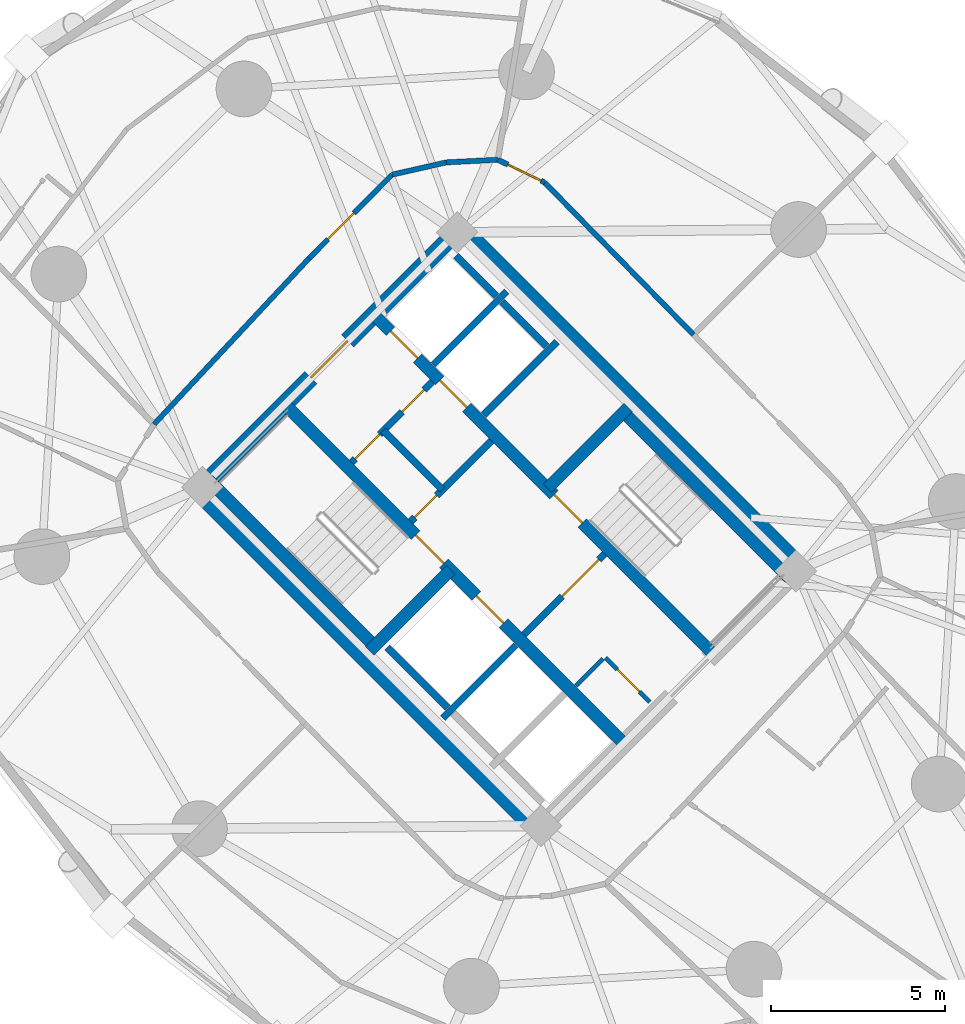
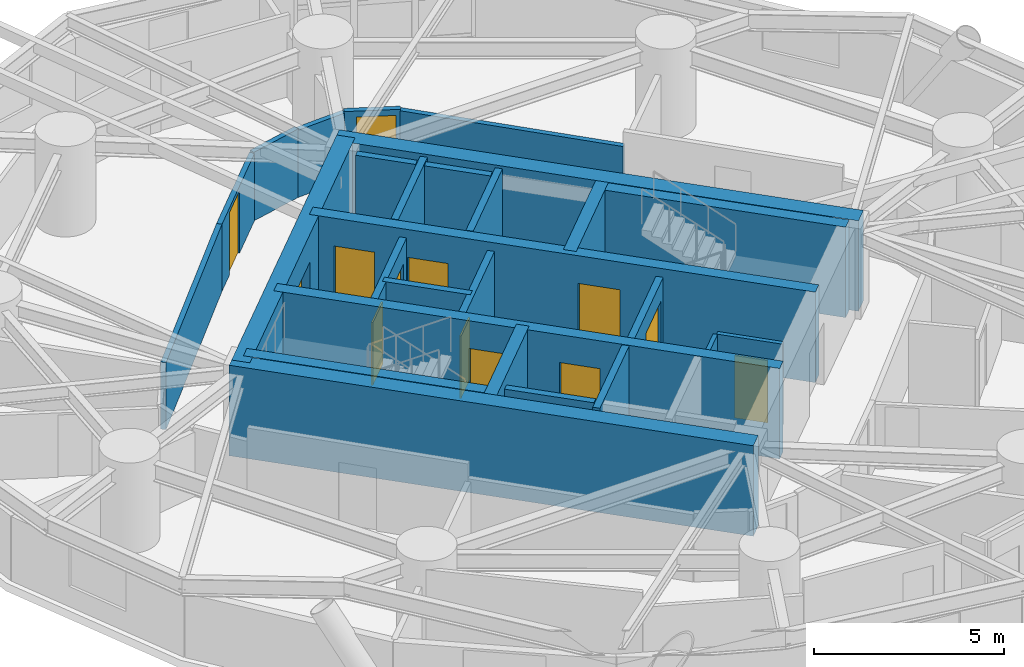
# One storey, part 14 of 20: 27 walls, 13 doors, 13 openings.
"""IFC4 building model written with IfcOpenShell, lengths in metres."""

from ifc_helpers import new_model, si_unit, direction, frame, frame_2d, origin, place, context, subcontext, project, spatial, rectangle, extrude, source, transform, mapped, material, layer, layer_set, type_object, element, fill, save


model = new_model("IFC4")

# Units and contexts
model_context = context("Model", 3, precision=1e-05, world=origin(), true_north=direction((0.0, 1.0)))
body_context = subcontext(model_context, "Body", "Model", "MODEL_VIEW")
ifc_project = project(units=[si_unit("LENGTHUNIT", "METRE"), si_unit("AREAUNIT", "SQUARE_METRE"), si_unit("VOLUMEUNIT", "CUBIC_METRE"), si_unit("PLANEANGLEUNIT", "RADIAN"), si_unit("MASSUNIT", "GRAM", prefix="KILO")], contexts=[model_context])

# Site, building, storey
site_placement = place(None, origin())
site = spatial("IfcSite", under=ifc_project, at=site_placement, CompositionType="ELEMENT")
building_placement = place(site_placement, origin())
building = spatial("IfcBuilding", under=site, at=building_placement, Name="Cununo Teusaquillo Station Towers", CompositionType="ELEMENT")
storey_placement = place(building_placement, frame((0.0, 0.0, 39.4599609375)))
storey = spatial("IfcBuildingStorey", under=building, at=storey_placement, Name="L11", CompositionType="ELEMENT", Elevation=39.4599609375)

# Walls
ifc_material_1 = material(Name="Concrete C50/60", Category="concrete")
ifc_layer_1 = layer(ifc_material_1, 0.199951171875)
ifc_layer_set_1 = layer_set([ifc_layer_1], Name="Concrete C50/60")
wall_type_1 = type_object("IfcWallType", Name="WL-CORE-200", PredefinedType="SHEAR", material=ifc_layer_set_1)
wall_1_placement = place(storey_placement, frame((55.8876953125, 19.0693359375, 0.0), z_axis=(0.0, 0.0, 1.0), x_axis=(0.707106781187, 0.707106781187, 0.0)))
element("IfcWall", 1, at=wall_1_placement, inside=storey, type_object=wall_type_1, Name="L11 Tower B Firefighting Lift Shaft South Shear Wall", PredefinedType="SHEAR", context=body_context, shape_type="SweptSolid", body=[
    extrude(rectangle(XDim=2.969970703125, YDim=0.199951171875, at=frame_2d((1.48486328125, 0.0))), origin(), (0.0, 0.0, 1.0), 2.91015625),
])
wall_2_placement = place(storey_placement, frame((56.01513671875, 19.366455078125, 0.0), z_axis=(0.0, 0.0, 1.0), x_axis=(-0.707106781187, 0.707106781187, 0.0)))
element("IfcWall", 2, at=wall_2_placement, inside=storey, type_object=wall_type_1, Name="L11 Tower B Firefighting Lift Shaft Rear Shear Wall", PredefinedType="SHEAR", context=body_context, shape_type="SweptSolid", body=[
    extrude(rectangle(XDim=2.43994140625, YDim=0.199951171875, at=frame_2d((1.219970703125, 0.0))), origin(), (0.0, 0.0, 1.0), 2.91015625),
])
wall_3_placement = place(storey_placement, frame((57.0615234375, 27.781005859375, 0.0), z_axis=(0.0, 0.0, 1.0), x_axis=(0.707106781187, 0.707106781187, 0.0)))
element("IfcWall", 3, at=wall_3_placement, inside=storey, type_object=wall_type_1, Name="L11 Tower B Low-Rise Lift Hoistway South Shear Wall", PredefinedType="SHEAR", context=body_context, shape_type="SweptSolid", body=[
    extrude(rectangle(XDim=2.969970703125, YDim=0.199951171875, at=frame_2d((1.48486328125, 0.0))), origin(), (0.0, 0.0, 1.0), 2.91015625),
])
wall_4_placement = place(storey_placement, frame((55.615478515625, 29.22705078125, 0.0), z_axis=(0.0, 0.0, 1.0), x_axis=(0.707147878904, 0.70706568108, 0.0)))
element("IfcWall", 4, at=wall_4_placement, inside=storey, type_object=wall_type_1, Name="L11 Tower B Low-Rise Lift Hoistway Divider Shear Wall", PredefinedType="SHEAR", context=body_context, shape_type="SweptSolid", body=[
    extrude(rectangle(XDim=2.97021484375, YDim=0.199951171875, at=frame_2d((1.485107421875, 0.0))), origin(), (0.0, 0.0, 1.0), 2.91015625),
])
wall_5_placement = place(storey_placement, frame((58.86474609375, 29.75390625, 0.0), z_axis=(0.0, 0.0, 1.0), x_axis=(-0.707174411312, 0.707039144592, 0.0)))
element("IfcWall", 5, at=wall_5_placement, inside=storey, type_object=wall_type_1, Name="L11 Tower B Low-Rise Lift 1 Shaft Rear Shear Wall", PredefinedType="SHEAR", context=body_context, shape_type="SweptSolid", body=[
    extrude(rectangle(XDim=1.804931640625, YDim=0.199951171875, at=frame_2d((0.90234375, 0.0))), origin(), (0.0, 0.0, 1.0), 2.91015625),
])
wall_6_placement = place(storey_placement, frame((57.418701171875, 31.19970703125, 0.0), z_axis=(0.0, 0.0, 1.0), x_axis=(-0.707032117043, 0.707181437447, 0.0)))
element("IfcWall", 6, at=wall_6_placement, inside=storey, type_object=wall_type_1, Name="L11 Tower B Low-Rise Lift 2 Shaft Rear Shear Wall", PredefinedType="SHEAR", context=body_context, shape_type="SweptSolid", body=[
    extrude(rectangle(XDim=1.635009765625, YDim=0.199951171875, at=frame_2d((0.8173828125, 0.0))), origin(), (0.0, 0.0, 1.0), 2.91015625),
])

# Wall, openings, doors
ifc_material_2 = material(Name="Concrete C50/60", Category="concrete")
ifc_layer_2 = layer(ifc_material_2, 0.35009765625)
ifc_layer_set_2 = layer_set([ifc_layer_2], Name="Concrete C50/60")
wall_type_2 = type_object("IfcWallType", Name="WL-CORE-350", PredefinedType="SHEAR", material=ifc_layer_set_2)
wall_7_placement = place(storey_placement, frame((61.095703125, 18.337646484375, 0.0), z_axis=(0.0, 0.0, 1.0), x_axis=(-0.707106781187, 0.707106781187, 0.0)))
wall_7 = element("IfcWall", 7, at=wall_7_placement, inside=storey, type_object=wall_type_2, Name="L11 Tower B Core Shear Wall IW", PredefinedType="SHEAR", context=body_context, shape_type="SweptSolid", body=[
    extrude(rectangle(XDim=13.800048828125, YDim=0.35009765625, at=frame_2d((6.89990234375, 0.0))), origin(), (0.0, 0.0, 1.0), 2.91015625),
])
shared_shape_1 = source(origin(), body_context, "Body", "SweptSolid", [
    extrude(rectangle(XDim=1.10009765625, YDim=2.014892578125, at=frame_2d((0.550048828125, 1.00732421875))), frame((0.0, 0.18505859375, 0.0), z_axis=(0.0, -1.0, 0.0), x_axis=(1.0, 0.0, 0.0)), (0.0, 0.0, 1.0), 0.3701171875),
])
opening_1_placement = place(wall_7_placement, frame((4.89990234375, 0.0, 0.0)))
opening_1 = element("IfcOpeningElement", 8, at=opening_1_placement, cuts=wall_7, Name="Opening LD-01", PredefinedType="OPENING", context=body_context, shape_type="MappedRepresentation", body=[
    mapped(shared_shape_1, transform((0.0, 0.0, 0.0), x_axis=(1.0, 0.0, 0.0), y_axis=(0.0, 1.0, 0.0), z_axis=(0.0, 0.0, 1.0), scale=1.0)),
])
shared_shape_2 = source(origin(), body_context, "Body", "SweptSolid", [
    extrude(rectangle(XDim=1.14990234375, YDim=2.02001953125, at=frame_2d((0.574951171875, 1.010009765625))), frame((0.0, 0.18505859375, 0.0), z_axis=(0.0, -1.0, 0.0), x_axis=(1.0, 0.0, 0.0)), (0.0, 0.0, 1.0), 0.3701171875),
])
opening_2_placement = place(wall_7_placement, frame((7.320068359375, 0.0, 0.0)))
opening_2 = element("IfcOpeningElement", 9, at=opening_2_placement, cuts=wall_7, Name="Opening D-ST1", PredefinedType="OPENING", context=body_context, shape_type="MappedRepresentation", body=[
    mapped(shared_shape_2, transform((0.0, 0.0, 0.0), x_axis=(1.0, 0.0, 0.0), y_axis=(0.0, 1.0, 0.0), z_axis=(0.0, 0.0, 1.0), scale=1.0)),
])
ifc_material_3 = material(Name="Galvanised fire-rated hollow steel door assembly", Category="steel")
door_type_1 = type_object("IfcDoorType", Name="DR-LIFT-1100", OperationType="SLIDING_TO_LEFT", PredefinedType="DOOR", material=ifc_material_3)
shared_shape_3 = source(origin(), body_context, "Body", "SweptSolid", [
    extrude(rectangle(XDim=1.10009765625, YDim=2.014892578125, at=frame_2d((0.550048828125, 1.00732421875))), frame((0.0, 0.02490234375, 0.0), z_axis=(0.0, -1.0, 0.0), x_axis=(1.0, 0.0, 0.0)), (0.0, 0.0, 1.0), 0.050048828125),
])
door_1_placement = place(opening_1_placement, origin())
door_1 = element("IfcDoor", 10, at=door_1_placement, inside=storey, type_object=door_type_1, Name="L11 Lift FL-T2 Sliding Landing Door", OperationType="SLIDING_TO_LEFT", OverallHeight=2.014892578125, OverallWidth=1.10009765625, PredefinedType="DOOR", context=body_context, shape_type="MappedRepresentation", body=[
    mapped(shared_shape_3, transform((0.0, 0.0, 0.0), x_axis=(1.0, 0.0, 0.0), y_axis=(0.0, 1.0, 0.0), z_axis=(0.0, 0.0, 1.0), scale=1.0)),
])
fill(opening_1, door_1)
ifc_material_4 = material(Name="Galvanised fire-rated hollow steel door assembly", Category="steel")
door_type_2 = type_object("IfcDoorType", Name="DR-STAIR-1150", OperationType="NOTDEFINED", PredefinedType="DOOR", material=ifc_material_4)
shared_shape_4 = source(origin(), body_context, "Body", "SweptSolid", [
    extrude(rectangle(XDim=1.14990234375, YDim=2.02001953125, at=frame_2d((0.574951171875, 1.010009765625))), frame((0.0, 0.02490234375, 0.0), z_axis=(0.0, -1.0, 0.0), x_axis=(1.0, 0.0, 0.0)), (0.0, 0.0, 1.0), 0.050048828125),
])
door_2_placement = place(opening_2_placement, origin())
door_2 = element("IfcDoor", 11, at=door_2_placement, inside=storey, type_object=door_type_2, Name="L11 Tower B Exit Stair 1 Fire Door", OperationType="SINGLE_SWING_LEFT", OverallHeight=2.02001953125, OverallWidth=1.14990234375, PredefinedType="DOOR", context=body_context, shape_type="MappedRepresentation", body=[
    mapped(shared_shape_4, transform((0.0, 0.0, 0.0), x_axis=(1.0, 0.0, 0.0), y_axis=(0.0, 1.0, 0.0), z_axis=(0.0, 0.0, 1.0), scale=1.0)),
])
fill(opening_2, door_2)

wall_8_placement = place(storey_placement, frame((63.662353515625, 20.904296875, 0.0), z_axis=(0.0, 0.0, 1.0), x_axis=(-0.707106781187, 0.707106781187, 0.0)))
wall_8 = element("IfcWall", 12, at=wall_8_placement, inside=storey, type_object=wall_type_2, Name="L11 Tower B Core Shear Wall IE", PredefinedType="SHEAR", context=body_context, shape_type="SweptSolid", body=[
    extrude(rectangle(XDim=13.800048828125, YDim=0.35009765625, at=frame_2d((6.89990234375, 0.0))), origin(), (0.0, 0.0, 1.0), 2.91015625),
])
opening_3_placement = place(wall_8_placement, frame((10.02490234375, 0.0, 0.0)))
opening_3 = element("IfcOpeningElement", 13, at=opening_3_placement, cuts=wall_8, Name="Opening LD-01", PredefinedType="OPENING", context=body_context, shape_type="MappedRepresentation", body=[
    mapped(shared_shape_1, transform((0.0, 0.0, 0.0), x_axis=(1.0, 0.0, 0.0), y_axis=(0.0, 1.0, 0.0), z_axis=(0.0, 0.0, 1.0), scale=1.0)),
])
opening_4_placement = place(wall_8_placement, frame((12.02490234375, 0.0, 0.0)))
opening_4 = element("IfcOpeningElement", 14, at=opening_4_placement, cuts=wall_8, Name="Opening LD-01", PredefinedType="OPENING", context=body_context, shape_type="MappedRepresentation", body=[
    mapped(shared_shape_1, transform((0.0, 0.0, 0.0), x_axis=(1.0, 0.0, 0.0), y_axis=(0.0, 1.0, 0.0), z_axis=(0.0, 0.0, 1.0), scale=1.0)),
])
opening_5_placement = place(wall_8_placement, frame((5.330078125, 0.0, 0.0)))
opening_5 = element("IfcOpeningElement", 15, at=opening_5_placement, cuts=wall_8, Name="Opening D-ST1", PredefinedType="OPENING", context=body_context, shape_type="MappedRepresentation", body=[
    mapped(shared_shape_2, transform((0.0, 0.0, 0.0), x_axis=(1.0, 0.0, 0.0), y_axis=(0.0, 1.0, 0.0), z_axis=(0.0, 0.0, 1.0), scale=1.0)),
])
door_3_placement = place(opening_3_placement, origin())
door_3 = element("IfcDoor", 16, at=door_3_placement, inside=storey, type_object=door_type_1, Name="L11 Lift PL-T2-L1 Sliding Landing Door", OperationType="SLIDING_TO_RIGHT", OverallHeight=2.014892578125, OverallWidth=1.10009765625, PredefinedType="DOOR", context=body_context, shape_type="MappedRepresentation", body=[
    mapped(shared_shape_3, transform((0.0, 0.0, 0.0), x_axis=(1.0, 0.0, 0.0), y_axis=(0.0, 1.0, 0.0), z_axis=(0.0, 0.0, 1.0), scale=1.0)),
])
fill(opening_3, door_3)
door_4_placement = place(opening_4_placement, origin())
door_4 = element("IfcDoor", 17, at=door_4_placement, inside=storey, type_object=door_type_1, Name="L11 Lift PL-T2-L2 Sliding Landing Door", OperationType="SLIDING_TO_LEFT", OverallHeight=2.014892578125, OverallWidth=1.10009765625, PredefinedType="DOOR", context=body_context, shape_type="MappedRepresentation", body=[
    mapped(shared_shape_3, transform((0.0, 0.0, 0.0), x_axis=(1.0, 0.0, 0.0), y_axis=(0.0, 1.0, 0.0), z_axis=(0.0, 0.0, 1.0), scale=1.0)),
])
fill(opening_4, door_4)
door_5_placement = place(opening_5_placement, origin())
door_5 = element("IfcDoor", 18, at=door_5_placement, inside=storey, type_object=door_type_2, Name="L11 Tower B Exit Stair 2 Fire Door", OperationType="SINGLE_SWING_RIGHT", OverallHeight=2.02001953125, OverallWidth=1.14990234375, PredefinedType="DOOR", context=body_context, shape_type="MappedRepresentation", body=[
    mapped(shared_shape_4, transform((0.0, 0.0, 0.0), x_axis=(1.0, 0.0, 0.0), y_axis=(0.0, 1.0, 0.0), z_axis=(0.0, 0.0, 1.0), scale=1.0)),
])
fill(opening_5, door_5)

# Walls
wall_9_placement = place(storey_placement, frame((53.922119140625, 21.14111328125, 0.0), z_axis=(0.0, 0.0, 1.0), x_axis=(-0.707106781187, 0.707106781187, 0.0)))
element("IfcWall", 19, at=wall_9_placement, inside=storey, type_object=wall_type_2, Name="L11 Tower B Core Shear Wall ST1W", PredefinedType="SHEAR", context=body_context, shape_type="SweptSolid", body=[
    extrude(rectangle(XDim=6.7451171875, YDim=0.35009765625, at=frame_2d((3.37255859375, 0.0))), origin(), (0.0, 0.0, 1.0), 2.91015625),
])
wall_10_placement = place(storey_placement, frame((53.7841796875, 21.00341796875, 0.0), z_axis=(0.0, 0.0, 1.0), x_axis=(0.707106781187, 0.707106781187, 0.0)))
element("IfcWall", 20, at=wall_10_placement, inside=storey, type_object=wall_type_2, Name="L11 Tower B Core Shear Wall ST1S", PredefinedType="SHEAR", context=body_context, shape_type="SweptSolid", body=[
    extrude(rectangle(XDim=3.284912109375, YDim=0.35009765625, at=frame_2d((1.642578125, 0.0))), origin(), (0.0, 0.0, 1.0), 2.91015625),
])
wall_11_placement = place(storey_placement, frame((65.847412109375, 23.08935546875, 0.0), z_axis=(0.0, 0.0, 1.0), x_axis=(-0.707106781187, 0.707106781187, 0.0)))
element("IfcWall", 21, at=wall_11_placement, inside=storey, type_object=wall_type_2, Name="L11 Tower B Core Shear Wall ST2E", PredefinedType="SHEAR", context=body_context, shape_type="SweptSolid", body=[
    extrude(rectangle(XDim=6.7451171875, YDim=0.35009765625, at=frame_2d((3.37255859375, 0.0))), origin(), (0.0, 0.0, 1.0), 2.91015625),
])
wall_12_placement = place(storey_placement, frame((58.89306640625, 25.673828125, 0.0), z_axis=(0.0, 0.0, 1.0), x_axis=(0.707106781187, 0.707106781187, 0.0)))
element("IfcWall", 22, at=wall_12_placement, inside=storey, type_object=wall_type_2, Name="L11 Tower B Core Shear Wall ST2N", PredefinedType="SHEAR", context=body_context, shape_type="SweptSolid", body=[
    extrude(rectangle(XDim=3.284912109375, YDim=0.35009765625, at=frame_2d((1.642578125, 0.0))), origin(), (0.0, 0.0, 1.0), 2.91015625),
])
ifc_material_5 = material(Name="Concrete C60/75", Category="concrete")
ifc_layer_3 = layer(ifc_material_5, 0.5)
ifc_layer_set_3 = layer_set([ifc_layer_3], Name="Concrete C60/75")
wall_type_3 = type_object("IfcWallType", Name="WL-CORE-500", PredefinedType="SHEAR", material=ifc_layer_set_3)
for number, where, z_axis, x_axis, name in (
    (23, (58.772705078125, 15.6611328125, 0.0), (0.0, 0.0, 1.0), (-0.707106781187, 0.707106781187, 0.0), "L11 Tower B Core Shear Wall W"),
    (24, (66.3388671875, 23.227294921875, 0.0), (0.0, 0.0, 1.0), (-0.707106781187, 0.707106781187, 0.0), "L11 Tower B Core Shear Wall E"),
):
    element("IfcWall", number, at=place(storey_placement, frame(where, z_axis=z_axis, x_axis=x_axis)), inside=storey, type_object=wall_type_3, Name=name, PredefinedType="SHEAR", context=body_context, shape_type="SweptSolid", body=[
        extrude(rectangle(XDim=14.2998046875, YDim=0.5, at=frame_2d((7.14990234375, 0.0))), origin(), (0.0, 0.0, 1.0), 2.91015625),
    ])

# Wall, opening, door
wall_13_placement = place(storey_placement, frame((48.837890625, 25.595947265625, 0.0), z_axis=(0.0, 0.0, 1.0), x_axis=(0.707106781187, 0.707106781187, 0.0)))
wall_13 = element("IfcWall", 25, at=wall_13_placement, inside=storey, type_object=wall_type_3, Name="L11 Tower B Core Shear Wall N", PredefinedType="SHEAR", context=body_context, shape_type="SweptSolid", body=[
    extrude(rectangle(XDim=10.7001953125, YDim=0.5, at=frame_2d((5.35009765625, 0.0))), origin(), (0.0, 0.0, 1.0), 2.91015625),
])
shared_shape_5 = source(origin(), body_context, "Body", "SweptSolid", [
    extrude(rectangle(XDim=1.5, YDim=2.02001953125, at=frame_2d((0.75, 1.010009765625))), frame((0.0, 0.260009765625, 0.0), z_axis=(0.0, -1.0, 0.0), x_axis=(1.0, 0.0, 0.0)), (0.0, 0.0, 1.0), 0.52001953125),
])
opening_6_placement = place(wall_13_placement, frame((4.60009765625, 0.0, 0.0)))
opening_6 = element("IfcOpeningElement", 26, at=opening_6_placement, cuts=wall_13, Name="Opening D-LB1", PredefinedType="OPENING", context=body_context, shape_type="MappedRepresentation", body=[
    mapped(shared_shape_5, transform((0.0, 0.0, 0.0), x_axis=(1.0, 0.0, 0.0), y_axis=(0.0, 1.0, 0.0), z_axis=(0.0, 0.0, 1.0), scale=1.0)),
])
ifc_material_6 = material(Name="Galvanised fire-rated hollow steel door assembly", Category="steel")
door_type_3 = type_object("IfcDoorType", Name="DR-LOBBY-1500", OperationType="DOUBLE_DOOR_SINGLE_SWING", PredefinedType="DOOR", material=ifc_material_6)
shared_shape_6 = source(origin(), body_context, "Body", "SweptSolid", [
    extrude(rectangle(XDim=1.5, YDim=2.02001953125, at=frame_2d((0.75, 1.010009765625))), frame((0.0, 0.02490234375, 0.0), z_axis=(0.0, -1.0, 0.0), x_axis=(1.0, 0.0, 0.0)), (0.0, 0.0, 1.0), 0.050048828125),
])
door_6_placement = place(opening_6_placement, origin())
door_6 = element("IfcDoor", 27, at=door_6_placement, inside=storey, type_object=door_type_3, Name="L11 Tower B North Core Lift Lobby Door", OperationType="DOUBLE_DOOR_SINGLE_SWING", OverallHeight=2.02001953125, OverallWidth=1.5, PredefinedType="DOOR", context=body_context, shape_type="MappedRepresentation", body=[
    mapped(shared_shape_6, transform((0.0, 0.0, 0.0), x_axis=(1.0, 0.0, 0.0), y_axis=(0.0, 1.0, 0.0), z_axis=(0.0, 0.0, 1.0), scale=1.0)),
])
fill(opening_6, door_6)

ifc_material_7 = material(Name="Fire-rated gypsum plasterboard partition assembly", Category="gypsum")
ifc_layer_4 = layer(ifc_material_7, 0.125)
ifc_layer_set_4 = layer_set([ifc_layer_4], Name="Fire-rated gypsum plasterboard partition assembly")
wall_type_4 = type_object("IfcWallType", Name="WL-PART-125", PredefinedType="PARTITIONING", material=ifc_layer_set_4)
wall_14_placement = place(storey_placement, frame((61.834716796875, 19.529052734375, 0.0), z_axis=(0.0, 0.0, 1.0), x_axis=(-0.707174592913, 0.707038962956, 0.0)))
wall_14 = element("IfcWall", 28, at=wall_14_placement, inside=storey, type_object=wall_type_4, Name="L11 Tower B South-West Compact Store East Wall", PredefinedType="PARTITIONING", context=body_context, shape_type="SweptSolid", body=[
    extrude(rectangle(XDim=1.800048828125, YDim=0.125, at=frame_2d((0.89990234375, 0.0))), origin(), (0.0, 0.0, 1.0), 2.635009765625),
])
shared_shape_7 = source(origin(), body_context, "Body", "SweptSolid", [
    extrude(rectangle(XDim=0.89990234375, YDim=2.0048828125, at=frame_2d((0.449951171875, 1.00244140625))), frame((0.0, 0.072509765625, 0.0), z_axis=(0.0, -1.0, 0.0), x_axis=(1.0, 0.0, 0.0)), (0.0, 0.0, 1.0), 0.14501953125),
])
opening_7_placement = place(wall_14_placement, frame((0.419921875, 0.0, 0.0)))
opening_7 = element("IfcOpeningElement", 29, at=opening_7_placement, cuts=wall_14, Name="Opening D-SR1", PredefinedType="OPENING", context=body_context, shape_type="MappedRepresentation", body=[
    mapped(shared_shape_7, transform((0.0, 0.0, 0.0), x_axis=(1.0, 0.0, 0.0), y_axis=(0.0, 1.0, 0.0), z_axis=(0.0, 0.0, 1.0), scale=1.0)),
])
ifc_material_8 = material(Name="Galvanised fire-rated hollow steel door assembly", Category="steel")
door_type_4 = type_object("IfcDoorType", Name="DR-STORE-900", OperationType="NOTDEFINED", PredefinedType="DOOR", material=ifc_material_8)
shared_shape_8 = source(origin(), body_context, "Body", "SweptSolid", [
    extrude(rectangle(XDim=0.89990234375, YDim=2.0048828125, at=frame_2d((0.449951171875, 1.00244140625))), frame((0.0, 0.02490234375, 0.0), z_axis=(0.0, -1.0, 0.0), x_axis=(1.0, 0.0, 0.0)), (0.0, 0.0, 1.0), 0.050048828125),
])
door_7_placement = place(opening_7_placement, origin())
door_7 = element("IfcDoor", 30, at=door_7_placement, inside=storey, type_object=door_type_4, Name="L11 Tower B Core Electrical & Comms Store Door", OperationType="SINGLE_SWING_LEFT", OverallHeight=2.0048828125, OverallWidth=0.89990234375, PredefinedType="DOOR", context=body_context, shape_type="MappedRepresentation", body=[
    mapped(shared_shape_8, transform((0.0, 0.0, 0.0), x_axis=(1.0, 0.0, 0.0), y_axis=(0.0, 1.0, 0.0), z_axis=(0.0, 0.0, 1.0), scale=1.0)),
])
fill(opening_7, door_7)

# Walls
wall_15_placement = place(storey_placement, frame((59.713134765625, 19.99560546875, 0.0), z_axis=(0.0, 0.0, 1.0), x_axis=(0.707217726, 0.706995818963, 0.0)))
element("IfcWall", 31, at=wall_15_placement, inside=storey, type_object=wall_type_4, Name="L11 Tower B South-West Compact Store North Wall", PredefinedType="PARTITIONING", context=body_context, shape_type="SweptSolid", body=[
    extrude(rectangle(XDim=1.10009765625, YDim=0.125, at=frame_2d((0.550048828125, 0.0))), origin(), (0.0, 0.0, 1.0), 2.635009765625),
])
ifc_material_9 = material(Name="Fire-rated gypsum plasterboard partition assembly", Category="gypsum")
ifc_layer_5 = layer(ifc_material_9, 0.14990234375)
ifc_layer_set_5 = layer_set([ifc_layer_5], Name="Fire-rated gypsum plasterboard partition assembly")
wall_type_5 = type_object("IfcWallType", Name="WL-PART-150", PredefinedType="PARTITIONING", material=ifc_layer_set_5)
wall_16_placement = place(storey_placement, frame((63.086181640625, 30.086181640625, 0.0), z_axis=(0.0, 0.0, 1.0), x_axis=(-0.699075897379, 0.715047473741, 0.0)))
element("IfcWall", 32, at=wall_16_placement, inside=storey, type_object=wall_type_5, Name="L11 Tower B Corridor Ring Wall C00", PredefinedType="PARTITIONING", context=body_context, shape_type="SweptSolid", body=[
    extrude(rectangle(XDim=6.1142578125, YDim=0.14990234375, at=frame_2d((3.05712890625, 0.0))), origin(), (0.0, 0.0, 1.0), 2.158935546875),
])

# Wall, opening, door
wall_17_placement = place(storey_placement, frame((58.811767578125, 34.458251953125, 0.0), z_axis=(0.0, 0.0, 1.0), x_axis=(-0.899559490277, 0.436798264021, 0.0)))
wall_17 = element("IfcWall", 33, at=wall_17_placement, inside=storey, type_object=wall_type_5, Name="L11 Tower B Corridor Ring Wall C01", PredefinedType="PARTITIONING", context=body_context, shape_type="SweptSolid", body=[
    extrude(rectangle(XDim=1.4951171875, YDim=0.14990234375, at=frame_2d((0.74755859375, 0.0))), origin(), (0.0, 0.0, 1.0), 2.205078125),
])
shared_shape_9 = source(origin(), body_context, "Body", "SweptSolid", [
    extrude(rectangle(XDim=1.050048828125, YDim=2.014892578125, at=frame_2d((0.52490234375, 1.00732421875))), frame((0.0, 0.0849609375, 0.0), z_axis=(0.0, -1.0, 0.0), x_axis=(1.0, 0.0, 0.0)), (0.0, 0.0, 1.0), 0.169921875),
])
opening_8_placement = place(wall_17_placement, frame((0.1201171875, 0.0, 0.0)))
opening_8 = element("IfcOpeningElement", 34, at=opening_8_placement, cuts=wall_17, Name="Opening D-SU1", PredefinedType="OPENING", context=body_context, shape_type="MappedRepresentation", body=[
    mapped(shared_shape_9, transform((0.0, 0.0, 0.0), x_axis=(1.0, 0.0, 0.0), y_axis=(0.0, 1.0, 0.0), z_axis=(0.0, 0.0, 1.0), scale=1.0)),
])
ifc_material_10 = material(Name="Acoustic solid-core hardwood leaf assembly", Category="wood")
door_type_5 = type_object("IfcDoorType", Name="DR-SUITE-1050", OperationType="NOTDEFINED", PredefinedType="DOOR", material=ifc_material_10)
shared_shape_10 = source(origin(), body_context, "Body", "SweptSolid", [
    extrude(rectangle(XDim=1.050048828125, YDim=2.014892578125, at=frame_2d((0.52490234375, 1.00732421875))), frame((0.0, 0.02490234375, 0.0), z_axis=(0.0, -1.0, 0.0), x_axis=(1.0, 0.0, 0.0)), (0.0, 0.0, 1.0), 0.050048828125),
])
door_8_placement = place(opening_8_placement, origin())
door_8 = element("IfcDoor", 35, at=door_8_placement, inside=storey, type_object=door_type_5, Name="L11 Tower B Hotel Grand Dining & Tea Lounge Entrance Door", OperationType="SINGLE_SWING_RIGHT", OverallHeight=2.014892578125, OverallWidth=1.050048828125, PredefinedType="DOOR", context=body_context, shape_type="MappedRepresentation", body=[
    mapped(shared_shape_10, transform((0.0, 0.0, 0.0), x_axis=(1.0, 0.0, 0.0), y_axis=(0.0, 1.0, 0.0), z_axis=(0.0, 0.0, 1.0), scale=1.0)),
])
fill(opening_8, door_8)

# Walls
wall_18_placement = place(storey_placement, frame((57.466796875, 35.111328125, 0.0), z_axis=(0.0, 0.0, 1.0), x_axis=(-0.998691757323, -0.051134859488, 0.0)))
element("IfcWall", 36, at=wall_18_placement, inside=storey, type_object=wall_type_5, Name="L11 Tower B Corridor Ring Wall C02", PredefinedType="PARTITIONING", context=body_context, shape_type="SweptSolid", body=[
    extrude(rectangle(XDim=1.48486328125, YDim=0.14990234375, at=frame_2d((0.742431640625, 0.0))), origin(), (0.0, 0.0, 1.0), 2.158935546875),
])
wall_19_placement = place(storey_placement, frame((55.98388671875, 35.035400390625, 0.0), z_axis=(0.0, 0.0, 1.0), x_axis=(-0.975290305708, -0.22092718165, 0.0)))
element("IfcWall", 37, at=wall_19_placement, inside=storey, type_object=wall_type_5, Name="L11 Tower B Corridor Ring Wall C03", PredefinedType="PARTITIONING", context=body_context, shape_type="SweptSolid", body=[
    extrude(rectangle(XDim=1.596923828125, YDim=0.14990234375, at=frame_2d((0.79833984375, 0.0))), origin(), (0.0, 0.0, 1.0), 2.205078125),
])

# Wall, opening, door
wall_20_placement = place(storey_placement, frame((54.426513671875, 34.6826171875, 0.0), z_axis=(0.0, 0.0, 1.0), x_axis=(-0.704178989986, -0.710022499687, 0.0)))
wall_20 = element("IfcWall", 38, at=wall_20_placement, inside=storey, type_object=wall_type_5, Name="L11 Tower B Corridor Ring Wall C04", PredefinedType="PARTITIONING", context=body_context, shape_type="SweptSolid", body=[
    extrude(rectangle(XDim=3.38427734375, YDim=0.14990234375, at=frame_2d((1.692138671875, 0.0))), origin(), (0.0, 0.0, 1.0), 2.158935546875),
])
opening_9_placement = place(wall_20_placement, frame((1.5595703125, 0.0, 0.0)))
opening_9 = element("IfcOpeningElement", 39, at=opening_9_placement, cuts=wall_20, Name="Opening D-SU1", PredefinedType="OPENING", context=body_context, shape_type="MappedRepresentation", body=[
    mapped(shared_shape_9, transform((0.0, 0.0, 0.0), x_axis=(1.0, 0.0, 0.0), y_axis=(0.0, 1.0, 0.0), z_axis=(0.0, 0.0, 1.0), scale=1.0)),
])
door_9_placement = place(opening_9_placement, origin())
door_9 = element("IfcDoor", 40, at=door_9_placement, inside=storey, type_object=door_type_5, Name="L11 Tower B Royal Corner Hotel Suite Entrance Door", OperationType="SINGLE_SWING_LEFT", OverallHeight=2.014892578125, OverallWidth=1.050048828125, PredefinedType="DOOR", context=body_context, shape_type="MappedRepresentation", body=[
    mapped(shared_shape_10, transform((0.0, 0.0, 0.0), x_axis=(1.0, 0.0, 0.0), y_axis=(0.0, 1.0, 0.0), z_axis=(0.0, 0.0, 1.0), scale=1.0)),
])
fill(opening_9, door_9)

# Wall
wall_21_placement = place(storey_placement, frame((52.04345703125, 32.27978515625, 0.0), z_axis=(0.0, 0.0, 1.0), x_axis=(-0.682606081633, -0.730786519661, 0.0)))
element("IfcWall", 41, at=wall_21_placement, inside=storey, type_object=wall_type_5, Name="L11 Tower B Corridor Ring Wall C05", PredefinedType="PARTITIONING", context=body_context, shape_type="SweptSolid", body=[
    extrude(rectangle(XDim=6.526611328125, YDim=0.14990234375, at=frame_2d((3.26318359375, 0.0))), origin(), (0.0, 0.0, 1.0), 2.158935546875),
])

# Wall, opening, door
ifc_material_11 = material(Name="Fire-rated gypsum plasterboard partition assembly", Category="gypsum")
ifc_layer_6 = layer(ifc_material_11, 0.199951171875)
ifc_layer_set_6 = layer_set([ifc_layer_6], Name="Fire-rated gypsum plasterboard partition assembly")
wall_type_6 = type_object("IfcWallType", Name="WL-PART-200", PredefinedType="PARTITIONING", material=ifc_layer_set_6)
wall_22_placement = place(storey_placement, frame((58.214111328125, 21.466552734375, 0.0), z_axis=(0.0, 0.0, 1.0), x_axis=(0.707106781187, 0.707106781187, 0.0)))
wall_22 = element("IfcWall", 42, at=wall_22_placement, inside=storey, type_object=wall_type_6, Name="L11 Tower B Firefighting Lift Lobby South Fire Wall", PredefinedType="PARTITIONING", context=body_context, shape_type="SweptSolid", body=[
    extrude(rectangle(XDim=3.280029296875, YDim=0.199951171875, at=frame_2d((1.64013671875, 0.0))), origin(), (0.0, 0.0, 1.0), 2.635009765625),
])
shared_shape_11 = source(origin(), body_context, "Body", "SweptSolid", [
    extrude(rectangle(XDim=1.5, YDim=2.02001953125, at=frame_2d((0.75, 1.010009765625))), frame((0.0, 0.10986328125, 0.0), z_axis=(0.0, -1.0, 0.0), x_axis=(1.0, 0.0, 0.0)), (0.0, 0.0, 1.0), 0.219970703125),
])
opening_10_placement = place(wall_22_placement, frame((1.550048828125, 0.0, 0.0)))
opening_10 = element("IfcOpeningElement", 43, at=opening_10_placement, cuts=wall_22, Name="Opening D-LB1", PredefinedType="OPENING", context=body_context, shape_type="MappedRepresentation", body=[
    mapped(shared_shape_11, transform((0.0, 0.0, 0.0), x_axis=(1.0, 0.0, 0.0), y_axis=(0.0, 1.0, 0.0), z_axis=(0.0, 0.0, 1.0), scale=1.0)),
])
door_10_placement = place(opening_10_placement, origin())
door_10 = element("IfcDoor", 44, at=door_10_placement, inside=storey, type_object=door_type_3, Name="L11 Tower B Firefighting Lift Lobby South Fire Door", OperationType="DOUBLE_DOOR_SINGLE_SWING", OverallHeight=2.02001953125, OverallWidth=1.5, PredefinedType="DOOR", context=body_context, shape_type="MappedRepresentation", body=[
    mapped(shared_shape_6, transform((0.0, 0.0, 0.0), x_axis=(1.0, 0.0, 0.0), y_axis=(0.0, 1.0, 0.0), z_axis=(0.0, 0.0, 1.0), scale=1.0)),
])
fill(opening_10, door_10)

wall_23_placement = place(storey_placement, frame((54.96142578125, 24.71923828125, 0.0), z_axis=(0.0, 0.0, 1.0), x_axis=(0.707106781187, 0.707106781187, 0.0)))
wall_23 = element("IfcWall", 45, at=wall_23_placement, inside=storey, type_object=wall_type_6, Name="L11 Tower B Firefighting Lift Lobby North Fire Wall", PredefinedType="PARTITIONING", context=body_context, shape_type="SweptSolid", body=[
    extrude(rectangle(XDim=3.280029296875, YDim=0.199951171875, at=frame_2d((1.64013671875, 0.0))), origin(), (0.0, 0.0, 1.0), 2.635009765625),
])
shared_shape_12 = source(origin(), body_context, "Body", "SweptSolid", [
    extrude(rectangle(XDim=0.89990234375, YDim=2.0048828125, at=frame_2d((0.449951171875, 1.00244140625))), frame((0.0, 0.10986328125, 0.0), z_axis=(0.0, -1.0, 0.0), x_axis=(1.0, 0.0, 0.0)), (0.0, 0.0, 1.0), 0.219970703125),
])
opening_11_placement = place(wall_23_placement, frame((0.159912109375, 0.0, 0.0)))
opening_11 = element("IfcOpeningElement", 46, at=opening_11_placement, cuts=wall_23, Name="Opening D-SR1", PredefinedType="OPENING", context=body_context, shape_type="MappedRepresentation", body=[
    mapped(shared_shape_12, transform((0.0, 0.0, 0.0), x_axis=(1.0, 0.0, 0.0), y_axis=(0.0, 1.0, 0.0), z_axis=(0.0, 0.0, 1.0), scale=1.0)),
])
door_11_placement = place(opening_11_placement, origin())
door_11 = element("IfcDoor", 47, at=door_11_placement, inside=storey, type_object=door_type_4, Name="L11 Tower B Stair 1 Protected Vestibule South Door", OperationType="SINGLE_SWING_LEFT", OverallHeight=2.0048828125, OverallWidth=0.89990234375, PredefinedType="DOOR", context=body_context, shape_type="MappedRepresentation", body=[
    mapped(shared_shape_8, transform((0.0, 0.0, 0.0), x_axis=(1.0, 0.0, 0.0), y_axis=(0.0, 1.0, 0.0), z_axis=(0.0, 0.0, 1.0), scale=1.0)),
])
fill(opening_11, door_11)

# Wall
wall_24_placement = place(storey_placement, frame((55.873779296875, 25.63134765625, 0.0), z_axis=(0.0, 0.0, 1.0), x_axis=(-0.707157639372, 0.707055919343, 0.0)))
element("IfcWall", 48, at=wall_24_placement, inside=storey, type_object=wall_type_6, Name="L11 Tower B Stair 1 Vestibule Partition Wall", PredefinedType="PARTITIONING", context=body_context, shape_type="SweptSolid", body=[
    extrude(rectangle(XDim=2.400146484375, YDim=0.199951171875, at=frame_2d((1.2001953125, 0.0))), origin(), (0.0, 0.0, 1.0), 2.635009765625),
])

# Wall, openings, doors
wall_25_placement = place(storey_placement, frame((53.264404296875, 26.416259765625, 0.0), z_axis=(0.0, 0.0, 1.0), x_axis=(0.707106781187, 0.707106781187, 0.0)))
wall_25 = element("IfcWall", 49, at=wall_25_placement, inside=storey, type_object=wall_type_6, Name="L11 Tower B North Lift Lobby South Fire Wall", PredefinedType="PARTITIONING", context=body_context, shape_type="SweptSolid", body=[
    extrude(rectangle(XDim=3.280029296875, YDim=0.199951171875, at=frame_2d((1.64013671875, 0.0))), origin(), (0.0, 0.0, 1.0), 2.635009765625),
])
shared_shape_13 = source(origin(), body_context, "Body", "SweptSolid", [
    extrude(rectangle(XDim=1.0, YDim=2.014892578125, at=frame_2d((0.5, 1.00732421875))), frame((0.0, 0.10986328125, 0.0), z_axis=(0.0, -1.0, 0.0), x_axis=(1.0, 0.0, 0.0)), (0.0, 0.0, 1.0), 0.219970703125),
])
opening_12_placement = place(wall_25_placement, frame((0.139892578125, 0.0, 0.0)))
opening_12 = element("IfcOpeningElement", 50, at=opening_12_placement, cuts=wall_25, Name="Opening D-AC1", PredefinedType="OPENING", context=body_context, shape_type="MappedRepresentation", body=[
    mapped(shared_shape_13, transform((0.0, 0.0, 0.0), x_axis=(1.0, 0.0, 0.0), y_axis=(0.0, 1.0, 0.0), z_axis=(0.0, 0.0, 1.0), scale=1.0)),
])
opening_13_placement = place(wall_25_placement, frame((2.050048828125, 0.0, 0.0)))
opening_13 = element("IfcOpeningElement", 51, at=opening_13_placement, cuts=wall_25, Name="Opening D-SR1", PredefinedType="OPENING", context=body_context, shape_type="MappedRepresentation", body=[
    mapped(shared_shape_12, transform((0.0, 0.0, 0.0), x_axis=(1.0, 0.0, 0.0), y_axis=(0.0, 1.0, 0.0), z_axis=(0.0, 0.0, 1.0), scale=1.0)),
])
door_12_placement = place(opening_13_placement, origin())
door_12 = element("IfcDoor", 52, at=door_12_placement, inside=storey, type_object=door_type_4, Name="L11 Tower B Core Housekeeping & Linen Store Door", OperationType="SINGLE_SWING_RIGHT", OverallHeight=2.0048828125, OverallWidth=0.89990234375, PredefinedType="DOOR", context=body_context, shape_type="MappedRepresentation", body=[
    mapped(shared_shape_8, transform((0.0, 0.0, 0.0), x_axis=(1.0, 0.0, 0.0), y_axis=(0.0, 1.0, 0.0), z_axis=(0.0, 0.0, 1.0), scale=1.0)),
])
fill(opening_13, door_12)
ifc_material_12 = material(Name="Acoustic solid-core hardwood leaf assembly", Category="wood")
door_type_6 = type_object("IfcDoorType", Name="DR-ACC-1000", OperationType="NOTDEFINED", PredefinedType="DOOR", material=ifc_material_12)
shared_shape_14 = source(origin(), body_context, "Body", "SweptSolid", [
    extrude(rectangle(XDim=1.0, YDim=2.014892578125, at=frame_2d((0.5, 1.00732421875))), frame((0.0, 0.02490234375, 0.0), z_axis=(0.0, -1.0, 0.0), x_axis=(1.0, 0.0, 0.0)), (0.0, 0.0, 1.0), 0.050048828125),
])
door_13_placement = place(opening_12_placement, origin())
door_13 = element("IfcDoor", 53, at=door_13_placement, inside=storey, type_object=door_type_6, Name="L11 Tower B North Lift Lobby to Stair 1 Vestibule Door", OperationType="SINGLE_SWING_RIGHT", OverallHeight=2.014892578125, OverallWidth=1.0, PredefinedType="DOOR", context=body_context, shape_type="MappedRepresentation", body=[
    mapped(shared_shape_14, transform((0.0, 0.0, 0.0), x_axis=(1.0, 0.0, 0.0), y_axis=(0.0, 1.0, 0.0), z_axis=(0.0, 0.0, 1.0), scale=1.0)),
])
fill(opening_12, door_13)

save(model, "model.ifc")
